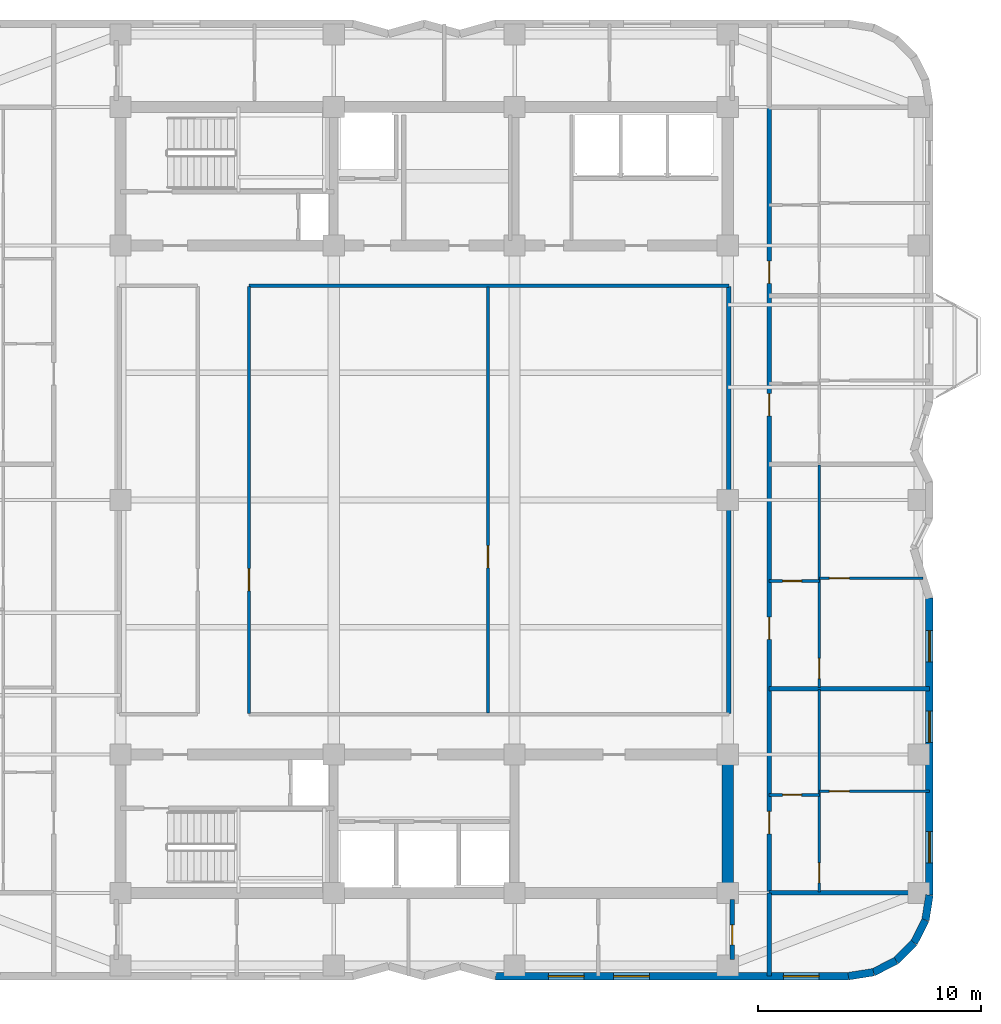
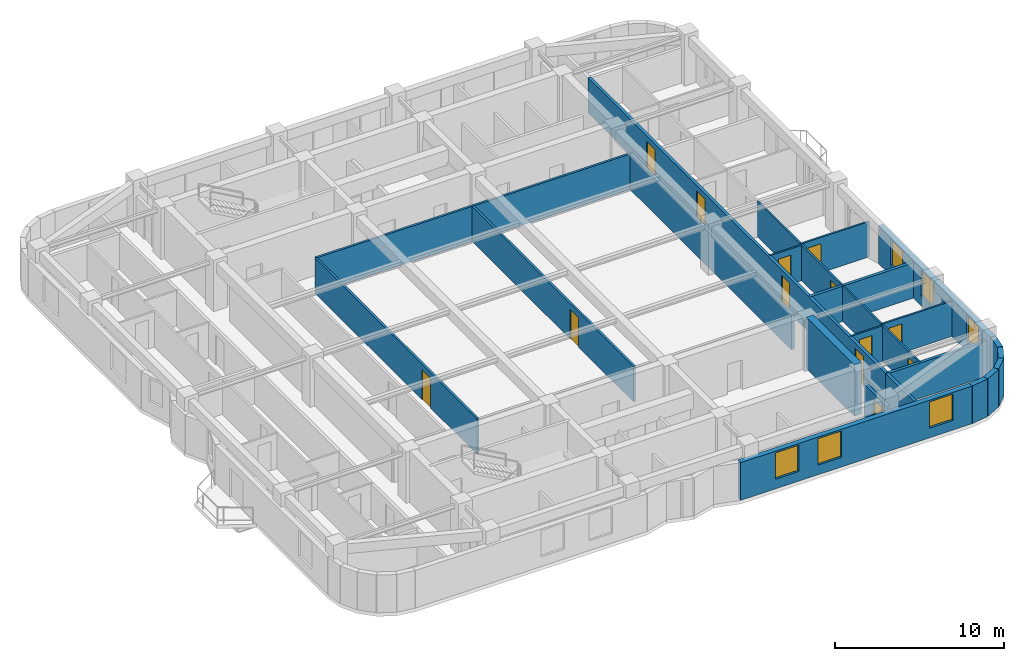
# One storey, part 4 of 9: 23 walls, 13 doors, 6 windows, 19 openings.
"""IFC4 building model written with IfcOpenShell, lengths in metres."""

from ifc_helpers import new_model, si_unit, direction, frame, frame_2d, origin, place, context, subcontext, project, spatial, rectangle, extrude, material, layer, layer_set, type_object, element, fill, save


model = new_model("IFC4")

# Units and contexts
model_context = context("Model", 3, precision=1e-05, world=origin(), true_north=direction((0.0, 1.0)))
body_context = subcontext(model_context, "Body", "Model", "MODEL_VIEW")
ifc_project = project(units=[si_unit("LENGTHUNIT", "METRE"), si_unit("AREAUNIT", "SQUARE_METRE"), si_unit("VOLUMEUNIT", "CUBIC_METRE"), si_unit("PLANEANGLEUNIT", "RADIAN"), si_unit("MASSUNIT", "GRAM", prefix="KILO")], contexts=[model_context])

# Site, building, storey
site_placement = place(None, origin())
site = spatial("IfcSite", under=ifc_project, at=site_placement, CompositionType="ELEMENT")
building_placement = place(site_placement, origin())
building = spatial("IfcBuilding", under=site, at=building_placement, Name="Svetorya Sky Lyceum", CompositionType="ELEMENT")
storey_placement = place(building_placement, frame((0.0, 0.0, 184.800048828125)))
storey = spatial("IfcBuildingStorey", under=building, at=storey_placement, Name="L46", CompositionType="ELEMENT", Elevation=184.800048828125)

# Wall
ifc_material_1 = material(Name="Concrete C50/60", Category="concrete")
ifc_layer_1 = layer(ifc_material_1, 0.5)
ifc_layer_set_1 = layer_set([ifc_layer_1], Name="Concrete C50/60")
wall_type_1 = type_object("IfcWallType", Name="WL-CORE-500", PredefinedType="SHEAR", material=ifc_layer_set_1)
wall_1_placement = place(storey_placement, frame((52.800048828125, 10.85009765625, 0.0), z_axis=(0.0, 0.0, 1.0), x_axis=(0.0, 1.0, 0.0)))
element("IfcWall", 1, at=wall_1_placement, inside=storey, type_object=wall_type_1, Name="L46 SC East Core Shear Wall", PredefinedType="SHEAR", context=body_context, shape_type="SweptSolid", body=[
    extrude(rectangle(XDim=5.699951171875, YDim=0.5, at=frame_2d((2.85009765625, 0.0))), origin(), (0.0, 0.0, 1.0), 3.699951171875),
])

# Wall, openings, windows
ifc_material_2 = material(Name="Putilovo limestone rainscreen on autoclaved cellular masonry", Category="masonry")
ifc_layer_2 = layer(ifc_material_2, 0.340087890625)
ifc_layer_set_2 = layer_set([ifc_layer_2], Name="Putilovo limestone rainscreen on autoclaved cellular masonry")
wall_type_2 = type_object("IfcWallType", Name="WL-EXT-340", PredefinedType="SOLIDWALL", material=ifc_layer_set_2)
wall_2_placement = place(storey_placement, frame((42.39990234375, 6.8701171875, 0.0), z_axis=(0.0, 0.0, 1.0), x_axis=(1.0, 0.0, 0.0)))
wall_2 = element("IfcWall", 2, at=wall_2_placement, inside=storey, type_object=wall_type_2, Name="L46 Limestone Exterior Wall 11M", PredefinedType="SOLIDWALL", context=body_context, shape_type="SweptSolid", body=[
    extrude(rectangle(XDim=15.800048828125, YDim=0.340087890625, at=frame_2d((7.89990234375, 0.0))), origin(), (0.0, 0.0, 1.0), 2.719970703125),
])
opening_1_placement = place(wall_2_placement, frame((2.362548828125, 0.0, 0.699951171875)))
opening_1 = element("IfcOpeningElement", 3, at=opening_1_placement, cuts=wall_2, Name="Opening W-R4", PredefinedType="OPENING", context=body_context, shape_type="SweptSolid", body=[
    extrude(rectangle(XDim=1.60009765625, YDim=1.89990234375, at=frame_2d((0.800048828125, 0.949951171875))), frame((0.0, 0.179931640625, 0.0), z_axis=(0.0, -1.0, 0.0), x_axis=(1.0, 0.0, 0.0)), (0.0, 0.0, 1.0), 0.360107421875),
])
opening_2_placement = place(wall_2_placement, frame((5.28759765625, 0.0, 0.699951171875)))
opening_2 = element("IfcOpeningElement", 4, at=opening_2_placement, cuts=wall_2, Name="Opening W-R4", PredefinedType="OPENING", context=body_context, shape_type="SweptSolid", body=[
    extrude(rectangle(XDim=1.60009765625, YDim=1.89990234375, at=frame_2d((0.800048828125, 0.949951171875))), frame((0.0, 0.179931640625, 0.0), z_axis=(0.0, -1.0, 0.0), x_axis=(1.0, 0.0, 0.0)), (0.0, 0.0, 1.0), 0.360107421875),
])
opening_3_placement = place(wall_2_placement, frame((12.887451171875, 0.0, 0.699951171875)))
opening_3 = element("IfcOpeningElement", 5, at=opening_3_placement, cuts=wall_2, Name="Opening W-R4", PredefinedType="OPENING", context=body_context, shape_type="SweptSolid", body=[
    extrude(rectangle(XDim=1.60009765625, YDim=1.89990234375, at=frame_2d((0.800048828125, 0.949951171875))), frame((0.0, 0.179931640625, 0.0), z_axis=(0.0, -1.0, 0.0), x_axis=(1.0, 0.0, 0.0)), (0.0, 0.0, 1.0), 0.360107421875),
])
ifc_material_3 = material(Name="Thermally broken aluminium frame with triple low-E glazing", Category="aluminium")
window_type_1 = type_object("IfcWindowType", Name="WN-RES-160", PartitioningType="DOUBLE_PANEL_VERTICAL", PredefinedType="WINDOW", material=ifc_material_3)
window_1_placement = place(opening_1_placement, origin())
window_1 = element("IfcWindow", 6, at=window_1_placement, inside=storey, type_object=window_type_1, Name="L46 Facade Window W-R4.11M.1", OverallHeight=1.89990234375, OverallWidth=1.60009765625, PartitioningType="SINGLE_PANEL", PredefinedType="WINDOW", context=body_context, shape_type="SweptSolid", body=[
    extrude(rectangle(XDim=1.60009765625, YDim=1.89990234375, at=frame_2d((0.800048828125, 0.949951171875))), frame((0.0, 0.030029296875, 0.0), z_axis=(0.0, -1.0, 0.0), x_axis=(1.0, 0.0, 0.0)), (0.0, 0.0, 1.0), 0.06005859375),
])
fill(opening_1, window_1)
window_2_placement = place(opening_2_placement, origin())
window_2 = element("IfcWindow", 7, at=window_2_placement, inside=storey, type_object=window_type_1, Name="L46 Facade Window W-R4.11M.2", OverallHeight=1.89990234375, OverallWidth=1.60009765625, PartitioningType="SINGLE_PANEL", PredefinedType="WINDOW", context=body_context, shape_type="SweptSolid", body=[
    extrude(rectangle(XDim=1.60009765625, YDim=1.89990234375, at=frame_2d((0.800048828125, 0.949951171875))), frame((0.0, 0.030029296875, 0.0), z_axis=(0.0, -1.0, 0.0), x_axis=(1.0, 0.0, 0.0)), (0.0, 0.0, 1.0), 0.06005859375),
])
fill(opening_2, window_2)
window_3_placement = place(opening_3_placement, origin())
window_3 = element("IfcWindow", 8, at=window_3_placement, inside=storey, type_object=window_type_1, Name="L46 Facade Window W-R4.11M.3", OverallHeight=1.89990234375, OverallWidth=1.60009765625, PartitioningType="SINGLE_PANEL", PredefinedType="WINDOW", context=body_context, shape_type="SweptSolid", body=[
    extrude(rectangle(XDim=1.60009765625, YDim=1.89990234375, at=frame_2d((0.800048828125, 0.949951171875))), frame((0.0, 0.030029296875, 0.0), z_axis=(0.0, -1.0, 0.0), x_axis=(1.0, 0.0, 0.0)), (0.0, 0.0, 1.0), 0.06005859375),
])
fill(opening_3, window_3)

# Walls
for number, where, z_axis, x_axis, name in (
    (9, (58.199951171875, 6.8701171875, 0.0), (0.0, 0.0, 1.0), (0.987714116584, 0.156271634985, 0.0), "L46 Limestone Exterior Wall 12M"),
    (10, (59.32177734375, 7.047607421875, 0.0), (0.0, 0.0, 1.0), (0.891005044957, 0.453993402883, 0.0), "L46 Limestone Exterior Wall 13M"),
):
    element("IfcWall", number, at=place(storey_placement, frame(where, z_axis=z_axis, x_axis=x_axis)), inside=storey, type_object=wall_type_2, Name=name, PredefinedType="SOLIDWALL", context=body_context, shape_type="SweptSolid", body=[
        extrude(rectangle(XDim=1.1357421875, YDim=0.340087890625, at=frame_2d((0.56787109375, 0.0))), origin(), (0.0, 0.0, 1.0), 2.719970703125),
    ])
wall_3_placement = place(storey_placement, frame((60.333740234375, 7.563232421875, 0.0), z_axis=(0.0, 0.0, 1.0), x_axis=(0.707106781187, 0.707106781187, 0.0)))
element("IfcWall", 11, at=wall_3_placement, inside=storey, type_object=wall_type_2, Name="L46 Limestone Exterior Wall 14M", PredefinedType="SOLIDWALL", context=body_context, shape_type="SweptSolid", body=[
    extrude(rectangle(XDim=1.135498046875, YDim=0.340087890625, at=frame_2d((0.56787109375, 0.0))), origin(), (0.0, 0.0, 1.0), 2.719970703125),
])
wall_4_placement = place(storey_placement, frame((61.13671875, 8.3662109375, 0.0), z_axis=(0.0, 0.0, 1.0), x_axis=(0.45390646422, 0.891049337433, 0.0)))
element("IfcWall", 12, at=wall_4_placement, inside=storey, type_object=wall_type_2, Name="L46 Limestone Exterior Wall 15M", PredefinedType="SOLIDWALL", context=body_context, shape_type="SweptSolid", body=[
    extrude(rectangle(XDim=1.135986328125, YDim=0.340087890625, at=frame_2d((0.56787109375, 0.0))), origin(), (0.0, 0.0, 1.0), 2.719970703125),
])
wall_5_placement = place(storey_placement, frame((61.65234375, 9.37841796875, 0.0), z_axis=(0.0, 0.0, 1.0), x_axis=(0.156514556949, 0.987675651954, 0.0)))
element("IfcWall", 13, at=wall_5_placement, inside=storey, type_object=wall_type_2, Name="L46 Limestone Exterior Wall 16M", PredefinedType="SOLIDWALL", context=body_context, shape_type="SweptSolid", body=[
    extrude(rectangle(XDim=1.135498046875, YDim=0.340087890625, at=frame_2d((0.56787109375, 0.0))), origin(), (0.0, 0.0, 1.0), 2.719970703125),
])

# Wall, openings, windows
wall_6_placement = place(storey_placement, frame((61.830078125, 10.5, 0.0), z_axis=(0.0, 0.0, 1.0), x_axis=(0.0, 1.0, 0.0)))
wall_6 = element("IfcWall", 14, at=wall_6_placement, inside=storey, type_object=wall_type_2, Name="L46 Limestone Exterior Wall 17M", PredefinedType="SOLIDWALL", context=body_context, shape_type="SweptSolid", body=[
    extrude(rectangle(XDim=13.300048828125, YDim=0.340087890625, at=frame_2d((6.64990234375, 0.0))), origin(), (0.0, 0.0, 1.0), 2.719970703125),
])
opening_4_placement = place(wall_6_placement, frame((1.449951171875, 0.0, 0.75)))
opening_4 = element("IfcOpeningElement", 15, at=opening_4_placement, cuts=wall_6, Name="Opening W-R2", PredefinedType="OPENING", context=body_context, shape_type="SweptSolid", body=[
    extrude(rectangle(XDim=1.39990234375, YDim=1.85009765625, at=frame_2d((0.699951171875, 0.925048828125))), frame((0.0, 0.179931640625, 0.0), z_axis=(0.0, -1.0, 0.0), x_axis=(1.0, 0.0, 0.0)), (0.0, 0.0, 1.0), 0.360107421875),
])
opening_5_placement = place(wall_6_placement, frame((6.840087890625, 0.0, 0.7099609375)))
opening_5 = element("IfcOpeningElement", 16, at=opening_5_placement, cuts=wall_6, Name="Opening W-R2", PredefinedType="OPENING", context=body_context, shape_type="SweptSolid", body=[
    extrude(rectangle(XDim=1.39990234375, YDim=1.85009765625, at=frame_2d((0.699951171875, 0.925048828125))), frame((0.0, 0.179931640625, 0.0), z_axis=(0.0, -1.0, 0.0), x_axis=(1.0, 0.0, 0.0)), (0.0, 0.0, 1.0), 0.360107421875),
])
opening_6_placement = place(wall_6_placement, frame((10.449951171875, 0.0, 0.75)))
opening_6 = element("IfcOpeningElement", 17, at=opening_6_placement, cuts=wall_6, Name="Opening W-R2", PredefinedType="OPENING", context=body_context, shape_type="SweptSolid", body=[
    extrude(rectangle(XDim=1.39990234375, YDim=1.85009765625, at=frame_2d((0.699951171875, 0.925048828125))), frame((0.0, 0.179931640625, 0.0), z_axis=(0.0, -1.0, 0.0), x_axis=(1.0, 0.0, 0.0)), (0.0, 0.0, 1.0), 0.360107421875),
])
window_type_2 = type_object("IfcWindowType", Name="WN-RES-140", PartitioningType="SINGLE_PANEL", PredefinedType="WINDOW", material=ifc_material_3)
window_4_placement = place(opening_4_placement, origin())
window_4 = element("IfcWindow", 18, at=window_4_placement, inside=storey, type_object=window_type_2, Name="L46 Facade Window W-R2.17M.1", OverallHeight=1.85009765625, OverallWidth=1.39990234375, PartitioningType="SINGLE_PANEL", PredefinedType="WINDOW", context=body_context, shape_type="SweptSolid", body=[
    extrude(rectangle(XDim=1.39990234375, YDim=1.85009765625, at=frame_2d((0.699951171875, 0.925048828125))), frame((0.0, 0.030029296875, 0.0), z_axis=(0.0, -1.0, 0.0), x_axis=(1.0, 0.0, 0.0)), (0.0, 0.0, 1.0), 0.06005859375),
])
fill(opening_4, window_4)
window_5_placement = place(opening_5_placement, origin())
window_5 = element("IfcWindow", 19, at=window_5_placement, inside=storey, type_object=window_type_2, Name="L46 Facade Window W-R2.17M.3", OverallHeight=1.85009765625, OverallWidth=1.39990234375, PartitioningType="SINGLE_PANEL", PredefinedType="WINDOW", context=body_context, shape_type="SweptSolid", body=[
    extrude(rectangle(XDim=1.39990234375, YDim=1.85009765625, at=frame_2d((0.699951171875, 0.925048828125))), frame((0.0, 0.030029296875, 0.0), z_axis=(0.0, -1.0, 0.0), x_axis=(1.0, 0.0, 0.0)), (0.0, 0.0, 1.0), 0.06005859375),
])
fill(opening_5, window_5)
window_6_placement = place(opening_6_placement, origin())
window_6 = element("IfcWindow", 20, at=window_6_placement, inside=storey, type_object=window_type_2, Name="L46 Facade Window W-R2.17M.2", OverallHeight=1.85009765625, OverallWidth=1.39990234375, PartitioningType="SINGLE_PANEL", PredefinedType="WINDOW", context=body_context, shape_type="SweptSolid", body=[
    extrude(rectangle(XDim=1.39990234375, YDim=1.85009765625, at=frame_2d((0.699951171875, 0.925048828125))), frame((0.0, 0.030029296875, 0.0), z_axis=(0.0, -1.0, 0.0), x_axis=(1.0, 0.0, 0.0)), (0.0, 0.0, 1.0), 0.06005859375),
])
fill(opening_6, window_6)

# Wall, opening, door
ifc_material_4 = material(Name="Twin-stud galvanized framing with double fireboard", Category="gypsum")
ifc_layer_3 = layer(ifc_material_4, 0.1201171875)
ifc_layer_set_3 = layer_set([ifc_layer_3], Name="Twin-stud galvanized framing with double fireboard")
wall_type_3 = type_object("IfcWallType", Name="WL-PART-120", PredefinedType="PARTITIONING", material=ifc_layer_set_3)
wall_7_placement = place(storey_placement, frame((54.64990234375, 14.989990234375, 0.0), z_axis=(0.0, 0.0, 1.0), x_axis=(1.0, 0.0, 0.0)))
wall_7 = element("IfcWall", 21, at=wall_7_placement, inside=storey, type_object=wall_type_3, Name="L46 Interior Partition E1-WH1", PredefinedType="PARTITIONING", context=body_context, shape_type="SweptSolid", body=[
    extrude(rectangle(XDim=2.25, YDim=0.1201171875, at=frame_2d((1.125, 0.0))), origin(), (0.0, 0.0, 1.0), 2.550048828125),
])
opening_7_placement = place(wall_7_placement, frame((0.60009765625, 0.0, 0.0)))
opening_7 = element("IfcOpeningElement", 22, at=opening_7_placement, cuts=wall_7, Name="Opening D-BT1", PredefinedType="OPENING", context=body_context, shape_type="SweptSolid", body=[
    extrude(rectangle(XDim=0.85009765625, YDim=2.10009765625, at=frame_2d((0.425048828125, 1.050048828125))), frame((0.0, 0.070068359375, 0.0), z_axis=(0.0, -1.0, 0.0), x_axis=(1.0, 0.0, 0.0)), (0.0, 0.0, 1.0), 0.14013671875),
])
ifc_material_5 = material(Name="Moisture-resistant laminate bathroom door")
door_type_1 = type_object("IfcDoorType", Name="DR-WET-850", OperationType="SINGLE_SWING_LEFT", PredefinedType="DOOR", material=ifc_material_5)
door_1_placement = place(opening_7_placement, origin())
door_1 = element("IfcDoor", 23, at=door_1_placement, inside=storey, type_object=door_type_1, Name="Apartment E1 Bathroom Door", OperationType="SINGLE_SWING_RIGHT", OverallHeight=2.10009765625, OverallWidth=0.85009765625, PredefinedType="DOOR", context=body_context, shape_type="SweptSolid", body=[
    extrude(rectangle(XDim=0.85009765625, YDim=2.10009765625, at=frame_2d((0.425048828125, 1.050048828125))), frame((0.0, 0.02490234375, 0.0), z_axis=(0.0, -1.0, 0.0), x_axis=(1.0, 0.0, 0.0)), (0.0, 0.0, 1.0), 0.050048828125),
])
fill(opening_7, door_1)

wall_8_placement = place(storey_placement, frame((56.89990234375, 15.14990234375, 0.0), z_axis=(0.0, 0.0, 1.0), x_axis=(1.0, 0.0, 0.0)))
wall_8 = element("IfcWall", 24, at=wall_8_placement, inside=storey, type_object=wall_type_3, Name="L46 Interior Partition E1-WL1", PredefinedType="PARTITIONING", context=body_context, shape_type="SweptSolid", body=[
    extrude(rectangle(XDim=4.93017578125, YDim=0.1201171875, at=frame_2d((2.465087890625, 0.0))), origin(), (0.0, 0.0, 1.0), 2.550048828125),
])
opening_8_placement = place(wall_8_placement, frame((0.449951171875, 0.0, 0.0)))
opening_8 = element("IfcOpeningElement", 25, at=opening_8_placement, cuts=wall_8, Name="Opening D-RM1", PredefinedType="OPENING", context=body_context, shape_type="SweptSolid", body=[
    extrude(rectangle(XDim=0.89990234375, YDim=2.10009765625, at=frame_2d((0.449951171875, 1.050048828125))), frame((0.0, 0.070068359375, 0.0), z_axis=(0.0, -1.0, 0.0), x_axis=(1.0, 0.0, 0.0)), (0.0, 0.0, 1.0), 0.14013671875),
])
ifc_material_6 = material(Name="Lacquered birch veneer internal door")
door_type_2 = type_object("IfcDoorType", Name="DR-INT-900", OperationType="SINGLE_SWING_LEFT", PredefinedType="DOOR", material=ifc_material_6)
door_2_placement = place(opening_8_placement, origin())
door_2 = element("IfcDoor", 26, at=door_2_placement, inside=storey, type_object=door_type_2, Name="Apartment E1 Bedroom 1 Door", OperationType="SINGLE_SWING_RIGHT", OverallHeight=2.10009765625, OverallWidth=0.89990234375, PredefinedType="DOOR", context=body_context, shape_type="SweptSolid", body=[
    extrude(rectangle(XDim=0.89990234375, YDim=2.10009765625, at=frame_2d((0.449951171875, 1.050048828125))), frame((0.0, 0.02490234375, 0.0), z_axis=(0.0, -1.0, 0.0), x_axis=(1.0, 0.0, 0.0)), (0.0, 0.0, 1.0), 0.050048828125),
])
fill(opening_8, door_2)

wall_9_placement = place(storey_placement, frame((56.89990234375, 10.639892578125, 0.0), z_axis=(0.0, 0.0, 1.0), x_axis=(0.0, 1.0, 0.0)))
wall_9 = element("IfcWall", 27, at=wall_9_placement, inside=storey, type_object=wall_type_3, Name="L46 Interior Partition E1-WV", PredefinedType="PARTITIONING", context=body_context, shape_type="SweptSolid", body=[
    extrude(rectangle(XDim=9.072021484375, YDim=0.1201171875, at=frame_2d((4.5361328125, 0.0))), origin(), (0.0, 0.0, 1.0), 2.550048828125),
])
opening_9_placement = place(wall_9_placement, frame((0.409912109375, 0.0, 0.0)))
opening_9 = element("IfcOpeningElement", 28, at=opening_9_placement, cuts=wall_9, Name="Opening D-RM1", PredefinedType="OPENING", context=body_context, shape_type="SweptSolid", body=[
    extrude(rectangle(XDim=0.89990234375, YDim=2.10009765625, at=frame_2d((0.449951171875, 1.050048828125))), frame((0.0, 0.070068359375, 0.0), z_axis=(0.0, -1.0, 0.0), x_axis=(1.0, 0.0, 0.0)), (0.0, 0.0, 1.0), 0.14013671875),
])
door_3_placement = place(opening_9_placement, origin())
door_3 = element("IfcDoor", 29, at=door_3_placement, inside=storey, type_object=door_type_2, Name="Apartment E1 Living Door", OperationType="SINGLE_SWING_LEFT", OverallHeight=2.10009765625, OverallWidth=0.89990234375, PredefinedType="DOOR", context=body_context, shape_type="SweptSolid", body=[
    extrude(rectangle(XDim=0.89990234375, YDim=2.10009765625, at=frame_2d((0.449951171875, 1.050048828125))), frame((0.0, 0.02490234375, 0.0), z_axis=(0.0, -1.0, 0.0), x_axis=(1.0, 0.0, 0.0)), (0.0, 0.0, 1.0), 0.050048828125),
])
fill(opening_9, door_3)

wall_10_placement = place(storey_placement, frame((54.64990234375, 24.572021484375, 0.0), z_axis=(0.0, 0.0, 1.0), x_axis=(1.0, 0.0, 0.0)))
wall_10 = element("IfcWall", 30, at=wall_10_placement, inside=storey, type_object=wall_type_3, Name="L46 Interior Partition E2-WH1", PredefinedType="PARTITIONING", context=body_context, shape_type="SweptSolid", body=[
    extrude(rectangle(XDim=2.25, YDim=0.1201171875, at=frame_2d((1.125, 0.0))), origin(), (0.0, 0.0, 1.0), 2.550048828125),
])
opening_10_placement = place(wall_10_placement, frame((0.60009765625, 0.0, 0.0)))
opening_10 = element("IfcOpeningElement", 31, at=opening_10_placement, cuts=wall_10, Name="Opening D-BT1", PredefinedType="OPENING", context=body_context, shape_type="SweptSolid", body=[
    extrude(rectangle(XDim=0.85009765625, YDim=2.10009765625, at=frame_2d((0.425048828125, 1.050048828125))), frame((0.0, 0.070068359375, 0.0), z_axis=(0.0, -1.0, 0.0), x_axis=(1.0, 0.0, 0.0)), (0.0, 0.0, 1.0), 0.14013671875),
])
door_4_placement = place(opening_10_placement, origin())
door_4 = element("IfcDoor", 32, at=door_4_placement, inside=storey, type_object=door_type_1, Name="Apartment E2 Bathroom Door", OperationType="SINGLE_SWING_LEFT", OverallHeight=2.10009765625, OverallWidth=0.85009765625, PredefinedType="DOOR", context=body_context, shape_type="SweptSolid", body=[
    extrude(rectangle(XDim=0.85009765625, YDim=2.10009765625, at=frame_2d((0.425048828125, 1.050048828125))), frame((0.0, 0.02490234375, 0.0), z_axis=(0.0, -1.0, 0.0), x_axis=(1.0, 0.0, 0.0)), (0.0, 0.0, 1.0), 0.050048828125),
])
fill(opening_10, door_4)

wall_11_placement = place(storey_placement, frame((56.89990234375, 24.701904296875, 0.0), z_axis=(0.0, 0.0, 1.0), x_axis=(1.0, 0.0, 0.0)))
wall_11 = element("IfcWall", 33, at=wall_11_placement, inside=storey, type_object=wall_type_3, Name="L46 Interior Partition E2-WL1", PredefinedType="PARTITIONING", context=body_context, shape_type="SweptSolid", body=[
    extrude(rectangle(XDim=4.64306640625, YDim=0.1201171875, at=frame_2d((2.321533203125, 0.0))), origin(), (0.0, 0.0, 1.0), 2.550048828125),
])
opening_11_placement = place(wall_11_placement, frame((0.449951171875, 0.0, 0.0)))
opening_11 = element("IfcOpeningElement", 34, at=opening_11_placement, cuts=wall_11, Name="Opening D-RM1", PredefinedType="OPENING", context=body_context, shape_type="SweptSolid", body=[
    extrude(rectangle(XDim=0.89990234375, YDim=2.10009765625, at=frame_2d((0.449951171875, 1.050048828125))), frame((0.0, 0.070068359375, 0.0), z_axis=(0.0, -1.0, 0.0), x_axis=(1.0, 0.0, 0.0)), (0.0, 0.0, 1.0), 0.14013671875),
])
door_5_placement = place(opening_11_placement, origin())
door_5 = element("IfcDoor", 35, at=door_5_placement, inside=storey, type_object=door_type_2, Name="Apartment E2 Bedroom 1 Door", OperationType="SINGLE_SWING_LEFT", OverallHeight=2.10009765625, OverallWidth=0.89990234375, PredefinedType="DOOR", context=body_context, shape_type="SweptSolid", body=[
    extrude(rectangle(XDim=0.89990234375, YDim=2.10009765625, at=frame_2d((0.449951171875, 1.050048828125))), frame((0.0, 0.02490234375, 0.0), z_axis=(0.0, -1.0, 0.0), x_axis=(1.0, 0.0, 0.0)), (0.0, 0.0, 1.0), 0.050048828125),
])
fill(opening_11, door_5)

wall_12_placement = place(storey_placement, frame((56.89990234375, 19.7919921875, 0.0), z_axis=(0.0, 0.0, 1.0), x_axis=(0.0, 1.0, 0.0)))
wall_12 = element("IfcWall", 36, at=wall_12_placement, inside=storey, type_object=wall_type_3, Name="L46 Interior Partition E2-WV", PredefinedType="PARTITIONING", context=body_context, shape_type="SweptSolid", body=[
    extrude(rectangle(XDim=9.968017578125, YDim=0.1201171875, at=frame_2d((4.98388671875, 0.0))), origin(), (0.0, 0.0, 1.0), 2.550048828125),
])
opening_12_placement = place(wall_12_placement, frame((0.409912109375, 0.0, 0.0)))
opening_12 = element("IfcOpeningElement", 37, at=opening_12_placement, cuts=wall_12, Name="Opening D-RM1", PredefinedType="OPENING", context=body_context, shape_type="SweptSolid", body=[
    extrude(rectangle(XDim=0.89990234375, YDim=2.10009765625, at=frame_2d((0.449951171875, 1.050048828125))), frame((0.0, 0.070068359375, 0.0), z_axis=(0.0, -1.0, 0.0), x_axis=(1.0, 0.0, 0.0)), (0.0, 0.0, 1.0), 0.14013671875),
])
door_6_placement = place(opening_12_placement, origin())
door_6 = element("IfcDoor", 38, at=door_6_placement, inside=storey, type_object=door_type_2, Name="Apartment E2 Living Door", OperationType="SINGLE_SWING_RIGHT", OverallHeight=2.10009765625, OverallWidth=0.89990234375, PredefinedType="DOOR", context=body_context, shape_type="SweptSolid", body=[
    extrude(rectangle(XDim=0.89990234375, YDim=2.10009765625, at=frame_2d((0.449951171875, 1.050048828125))), frame((0.0, 0.02490234375, 0.0), z_axis=(0.0, -1.0, 0.0), x_axis=(1.0, 0.0, 0.0)), (0.0, 0.0, 1.0), 0.050048828125),
])
fill(opening_12, door_6)

# Wall
ifc_material_7 = material(Name="Autoclaved cellular masonry blockwork with acoustic render", Category="masonry")
ifc_layer_4 = layer(ifc_material_7, 0.14990234375)
ifc_layer_set_4 = layer_set([ifc_layer_4], Name="Autoclaved cellular masonry blockwork with acoustic render")
wall_type_4 = type_object("IfcWallType", Name="WL-PART-150", PredefinedType="PARTITIONING", material=ifc_layer_set_4)
wall_13_placement = place(storey_placement, frame((31.35009765625, 37.800048828125, 0.0), z_axis=(0.0, 0.0, 1.0), x_axis=(1.0, 0.0, 0.0)))
element("IfcWall", 39, at=wall_13_placement, inside=storey, type_object=wall_type_4, Name="L46 Interior Partition OFF-CN-E", PredefinedType="PARTITIONING", context=body_context, shape_type="SweptSolid", body=[
    extrude(rectangle(XDim=21.5, YDim=0.14990234375, at=frame_2d((10.75, 0.0))), origin(), (0.0, 0.0, 1.0), 2.550048828125),
])

# Wall, opening, door
wall_14_placement = place(storey_placement, frame((42.06005859375, 18.659912109375, 0.0), z_axis=(0.0, 0.0, 1.0), x_axis=(0.0, 1.0, 0.0)))
wall_14 = element("IfcWall", 40, at=wall_14_placement, inside=storey, type_object=wall_type_4, Name="L46 Interior Partition OFF-VEMID", PredefinedType="PARTITIONING", context=body_context, shape_type="SweptSolid", body=[
    extrude(rectangle(XDim=19.080078125, YDim=0.14990234375, at=frame_2d((9.5400390625, 0.0))), origin(), (0.0, 0.0, 1.0), 2.550048828125),
])
opening_13_placement = place(wall_14_placement, frame((6.5, 0.0, 0.0)))
opening_13 = element("IfcOpeningElement", 41, at=opening_13_placement, cuts=wall_14, Name="Opening D-RM2", PredefinedType="OPENING", context=body_context, shape_type="SweptSolid", body=[
    extrude(rectangle(XDim=1.0, YDim=2.14990234375, at=frame_2d((0.5, 1.074951171875))), frame((0.0, 0.0849609375, 0.0), z_axis=(0.0, -1.0, 0.0), x_axis=(1.0, 0.0, 0.0)), (0.0, 0.0, 1.0), 0.169921875),
])
ifc_material_8 = material(Name="Solid-core oak acoustic room door")
door_type_3 = type_object("IfcDoorType", Name="DR-INT-1000", OperationType="SINGLE_SWING_LEFT", PredefinedType="DOOR", material=ifc_material_8)
door_7_placement = place(opening_13_placement, origin())
door_7 = element("IfcDoor", 42, at=door_7_placement, inside=storey, type_object=door_type_3, Name="L46 Recreation Door", OperationType="SINGLE_SWING_LEFT", OverallHeight=2.14990234375, OverallWidth=1.0, PredefinedType="DOOR", context=body_context, shape_type="SweptSolid", body=[
    extrude(rectangle(XDim=1.0, YDim=2.14990234375, at=frame_2d((0.5, 1.074951171875))), frame((0.0, 0.02490234375, 0.0), z_axis=(0.0, -1.0, 0.0), x_axis=(1.0, 0.0, 0.0)), (0.0, 0.0, 1.0), 0.050048828125),
])
fill(opening_13, door_7)

wall_15_placement = place(storey_placement, frame((31.35009765625, 18.6298828125, 0.0), z_axis=(0.0, 0.0, 1.0), x_axis=(0.0, 1.0, 0.0)))
wall_15 = element("IfcWall", 43, at=wall_15_placement, inside=storey, type_object=wall_type_4, Name="L46 Interior Partition OFF-VE", PredefinedType="PARTITIONING", context=body_context, shape_type="SweptSolid", body=[
    extrude(rectangle(XDim=19.14013671875, YDim=0.14990234375, at=frame_2d((9.570068359375, 0.0))), origin(), (0.0, 0.0, 1.0), 2.550048828125),
])
opening_14_placement = place(wall_15_placement, frame((5.5, 0.0, 0.0)))
opening_14 = element("IfcOpeningElement", 44, at=opening_14_placement, cuts=wall_15, Name="Opening D-RM2", PredefinedType="OPENING", context=body_context, shape_type="SweptSolid", body=[
    extrude(rectangle(XDim=1.0, YDim=2.14990234375, at=frame_2d((0.5, 1.074951171875))), frame((0.0, 0.0849609375, 0.0), z_axis=(0.0, -1.0, 0.0), x_axis=(1.0, 0.0, 0.0)), (0.0, 0.0, 1.0), 0.169921875),
])
door_8_placement = place(opening_14_placement, origin())
door_8 = element("IfcDoor", 45, at=door_8_placement, inside=storey, type_object=door_type_3, Name="L46 Seminar Door", OperationType="SINGLE_SWING_RIGHT", OverallHeight=2.14990234375, OverallWidth=1.0, PredefinedType="DOOR", context=body_context, shape_type="SweptSolid", body=[
    extrude(rectangle(XDim=1.0, YDim=2.14990234375, at=frame_2d((0.5, 1.074951171875))), frame((0.0, 0.02490234375, 0.0), z_axis=(0.0, -1.0, 0.0), x_axis=(1.0, 0.0, 0.0)), (0.0, 0.0, 1.0), 0.050048828125),
])
fill(opening_14, door_8)

# Walls
ifc_material_9 = material(Name="Autoclaved cellular masonry blockwork with gypsum plaster", Category="masonry")
ifc_layer_5 = layer(ifc_material_9, 0.199951171875)
ifc_layer_set_5 = layer_set([ifc_layer_5], Name="Autoclaved cellular masonry blockwork with gypsum plaster")
wall_type_5 = type_object("IfcWallType", Name="WL-PART-200", PredefinedType="PARTITIONING", material=ifc_layer_set_5)
wall_16_placement = place(storey_placement, frame((52.85009765625, 18.6298828125, 0.0), z_axis=(0.0, 0.0, 1.0), x_axis=(0.0, 1.0, 0.0)))
element("IfcWall", 46, at=wall_16_placement, inside=storey, type_object=wall_type_5, Name="L46 Interior Partition E-CEN-SEP", PredefinedType="PARTITIONING", context=body_context, shape_type="SweptSolid", body=[
    extrude(rectangle(XDim=19.14013671875, YDim=0.199951171875, at=frame_2d((9.570068359375, 0.0))), origin(), (0.0, 0.0, 1.0), 2.550048828125),
])
wall_17_placement = place(storey_placement, frame((54.64990234375, 19.751953125, 0.0), z_axis=(0.0, 0.0, 1.0), x_axis=(1.0, 0.0, 0.0)))
element("IfcWall", 47, at=wall_17_placement, inside=storey, type_object=wall_type_5, Name="L46 Interior Partition E-PARTY-1", PredefinedType="PARTITIONING", context=body_context, shape_type="SweptSolid", body=[
    extrude(rectangle(XDim=7.18017578125, YDim=0.199951171875, at=frame_2d((3.590087890625, 0.0))), origin(), (0.0, 0.0, 1.0), 2.550048828125),
])

# Wall, openings, doors
wall_18_placement = place(storey_placement, frame((54.64990234375, 10.60009765625, 0.0), z_axis=(0.0, 0.0, 1.0), x_axis=(0.0, 1.0, 0.0)))
wall_18 = element("IfcWall", 48, at=wall_18_placement, inside=storey, type_object=wall_type_5, Name="L46 Interior Partition E-CORRW", PredefinedType="PARTITIONING", context=body_context, shape_type="SweptSolid", body=[
    extrude(rectangle(XDim=35.199951171875, YDim=0.199951171875, at=frame_2d((17.60009765625, 0.0))), origin(), (0.0, 0.0, 1.0), 2.550048828125),
])
opening_15_placement = place(wall_18_placement, frame((2.64990234375, 0.0, 0.0)))
opening_15 = element("IfcOpeningElement", 49, at=opening_15_placement, cuts=wall_18, Name="Opening D-APT1", PredefinedType="OPENING", context=body_context, shape_type="SweptSolid", body=[
    extrude(rectangle(XDim=1.0, YDim=2.14990234375, at=frame_2d((0.5, 1.074951171875))), frame((0.0, 0.10986328125, 0.0), z_axis=(0.0, -1.0, 0.0), x_axis=(1.0, 0.0, 0.0)), (0.0, 0.0, 1.0), 0.219970703125),
])
opening_16_placement = place(wall_18_placement, frame((11.35205078125, 0.0, 0.0)))
opening_16 = element("IfcOpeningElement", 50, at=opening_16_placement, cuts=wall_18, Name="Opening D-APT1", PredefinedType="OPENING", context=body_context, shape_type="SweptSolid", body=[
    extrude(rectangle(XDim=1.0, YDim=2.14990234375, at=frame_2d((0.5, 1.074951171875))), frame((0.0, 0.10986328125, 0.0), z_axis=(0.0, -1.0, 0.0), x_axis=(1.0, 0.0, 0.0)), (0.0, 0.0, 1.0), 0.219970703125),
])
opening_17_placement = place(wall_18_placement, frame((21.3701171875, 0.0, 0.0)))
opening_17 = element("IfcOpeningElement", 51, at=opening_17_placement, cuts=wall_18, Name="Opening D-APT1", PredefinedType="OPENING", context=body_context, shape_type="SweptSolid", body=[
    extrude(rectangle(XDim=1.0, YDim=2.14990234375, at=frame_2d((0.5, 1.074951171875))), frame((0.0, 0.10986328125, 0.0), z_axis=(0.0, -1.0, 0.0), x_axis=(1.0, 0.0, 0.0)), (0.0, 0.0, 1.0), 0.219970703125),
])
opening_18_placement = place(wall_18_placement, frame((27.302001953125, 0.0, 0.0)))
opening_18 = element("IfcOpeningElement", 52, at=opening_18_placement, cuts=wall_18, Name="Opening D-APT1", PredefinedType="OPENING", context=body_context, shape_type="SweptSolid", body=[
    extrude(rectangle(XDim=1.0, YDim=2.14990234375, at=frame_2d((0.5, 1.074951171875))), frame((0.0, 0.10986328125, 0.0), z_axis=(0.0, -1.0, 0.0), x_axis=(1.0, 0.0, 0.0)), (0.0, 0.0, 1.0), 0.219970703125),
])
ifc_material_10 = material(Name="Insulated oak-veneered apartment entrance door")
door_type_4 = type_object("IfcDoorType", Name="DR-APT-1000", OperationType="SINGLE_SWING_LEFT", PredefinedType="DOOR", material=ifc_material_10)
door_9_placement = place(opening_15_placement, origin())
door_9 = element("IfcDoor", 53, at=door_9_placement, inside=storey, type_object=door_type_4, Name="L46 Apartment E1 Entrance Door", OperationType="SINGLE_SWING_RIGHT", OverallHeight=2.14990234375, OverallWidth=1.0, PredefinedType="DOOR", context=body_context, shape_type="SweptSolid", body=[
    extrude(rectangle(XDim=1.0, YDim=2.14990234375, at=frame_2d((0.5, 1.074951171875))), frame((0.0, 0.02490234375, 0.0), z_axis=(0.0, -1.0, 0.0), x_axis=(1.0, 0.0, 0.0)), (0.0, 0.0, 1.0), 0.050048828125),
])
fill(opening_15, door_9)
door_10_placement = place(opening_16_placement, origin())
door_10 = element("IfcDoor", 54, at=door_10_placement, inside=storey, type_object=door_type_4, Name="L46 Apartment E2 Entrance Door", OperationType="SINGLE_SWING_LEFT", OverallHeight=2.14990234375, OverallWidth=1.0, PredefinedType="DOOR", context=body_context, shape_type="SweptSolid", body=[
    extrude(rectangle(XDim=1.0, YDim=2.14990234375, at=frame_2d((0.5, 1.074951171875))), frame((0.0, 0.02490234375, 0.0), z_axis=(0.0, -1.0, 0.0), x_axis=(1.0, 0.0, 0.0)), (0.0, 0.0, 1.0), 0.050048828125),
])
fill(opening_16, door_10)
door_11_placement = place(opening_17_placement, origin())
door_11 = element("IfcDoor", 55, at=door_11_placement, inside=storey, type_object=door_type_4, Name="L46 Apartment E3 Entrance Door", OperationType="SINGLE_SWING_RIGHT", OverallHeight=2.14990234375, OverallWidth=1.0, PredefinedType="DOOR", context=body_context, shape_type="SweptSolid", body=[
    extrude(rectangle(XDim=1.0, YDim=2.14990234375, at=frame_2d((0.5, 1.074951171875))), frame((0.0, 0.02490234375, 0.0), z_axis=(0.0, -1.0, 0.0), x_axis=(1.0, 0.0, 0.0)), (0.0, 0.0, 1.0), 0.050048828125),
])
fill(opening_17, door_11)
door_12_placement = place(opening_18_placement, origin())
door_12 = element("IfcDoor", 56, at=door_12_placement, inside=storey, type_object=door_type_4, Name="L46 Apartment E4 Entrance Door", OperationType="SINGLE_SWING_LEFT", OverallHeight=2.14990234375, OverallWidth=1.0, PredefinedType="DOOR", context=body_context, shape_type="SweptSolid", body=[
    extrude(rectangle(XDim=1.0, YDim=2.14990234375, at=frame_2d((0.5, 1.074951171875))), frame((0.0, 0.02490234375, 0.0), z_axis=(0.0, -1.0, 0.0), x_axis=(1.0, 0.0, 0.0)), (0.0, 0.0, 1.0), 0.050048828125),
])
fill(opening_18, door_12)

# Walls
wall_19_placement = place(storey_placement, frame((54.64990234375, 10.60009765625, 0.0), z_axis=(0.0, 0.0, 1.0), x_axis=(1.0, 0.0, 0.0)))
element("IfcWall", 57, at=wall_19_placement, inside=storey, type_object=wall_type_5, Name="L46 Interior Partition E-CAP-S", PredefinedType="PARTITIONING", context=body_context, shape_type="SweptSolid", body=[
    extrude(rectangle(XDim=6.760009765625, YDim=0.199951171875, at=frame_2d((3.3798828125, 0.0))), origin(), (0.0, 0.0, 1.0), 2.550048828125),
])
wall_20_placement = place(storey_placement, frame((54.64990234375, 6.8701171875, 0.0), z_axis=(0.0, 0.0, 1.0), x_axis=(0.0, 1.0, 0.0)))
element("IfcWall", 58, at=wall_20_placement, inside=storey, type_object=wall_type_5, Name="L46 Interior Partition EC-SE-END", PredefinedType="PARTITIONING", context=body_context, shape_type="SweptSolid", body=[
    extrude(rectangle(XDim=3.72998046875, YDim=0.199951171875, at=frame_2d((1.864990234375, 0.0))), origin(), (0.0, 0.0, 1.0), 2.550048828125),
])

# Wall, opening, door
wall_21_placement = place(storey_placement, frame((53.0, 7.6201171875, 0.0), z_axis=(0.0, 0.0, 1.0), x_axis=(0.0, 1.0, 0.0)))
wall_21 = element("IfcWall", 59, at=wall_21_placement, inside=storey, type_object=wall_type_5, Name="L46 Interior Partition S4-EE", PredefinedType="PARTITIONING", context=body_context, shape_type="SweptSolid", body=[
    extrude(rectangle(XDim=2.679931640625, YDim=0.199951171875, at=frame_2d((1.33984375, 0.0))), origin(), (0.0, 0.0, 1.0), 2.550048828125),
])
opening_19_placement = place(wall_21_placement, frame((0.64990234375, 0.0, 0.0)))
opening_19 = element("IfcOpeningElement", 60, at=opening_19_placement, cuts=wall_21, Name="Opening D-RM1", PredefinedType="OPENING", context=body_context, shape_type="SweptSolid", body=[
    extrude(rectangle(XDim=0.89990234375, YDim=2.10009765625, at=frame_2d((0.449951171875, 1.050048828125))), frame((0.0, 0.10986328125, 0.0), z_axis=(0.0, -1.0, 0.0), x_axis=(1.0, 0.0, 0.0)), (0.0, 0.0, 1.0), 0.219970703125),
])
door_13_placement = place(opening_19_placement, origin())
door_13 = element("IfcDoor", 61, at=door_13_placement, inside=storey, type_object=door_type_2, Name="L46 SE Meeting Door", OperationType="SINGLE_SWING_RIGHT", OverallHeight=2.10009765625, OverallWidth=0.89990234375, PredefinedType="DOOR", context=body_context, shape_type="SweptSolid", body=[
    extrude(rectangle(XDim=0.89990234375, YDim=2.10009765625, at=frame_2d((0.449951171875, 1.050048828125))), frame((0.0, 0.02490234375, 0.0), z_axis=(0.0, -1.0, 0.0), x_axis=(1.0, 0.0, 0.0)), (0.0, 0.0, 1.0), 0.050048828125),
])
fill(opening_19, door_13)

save(model, "model.ifc")
